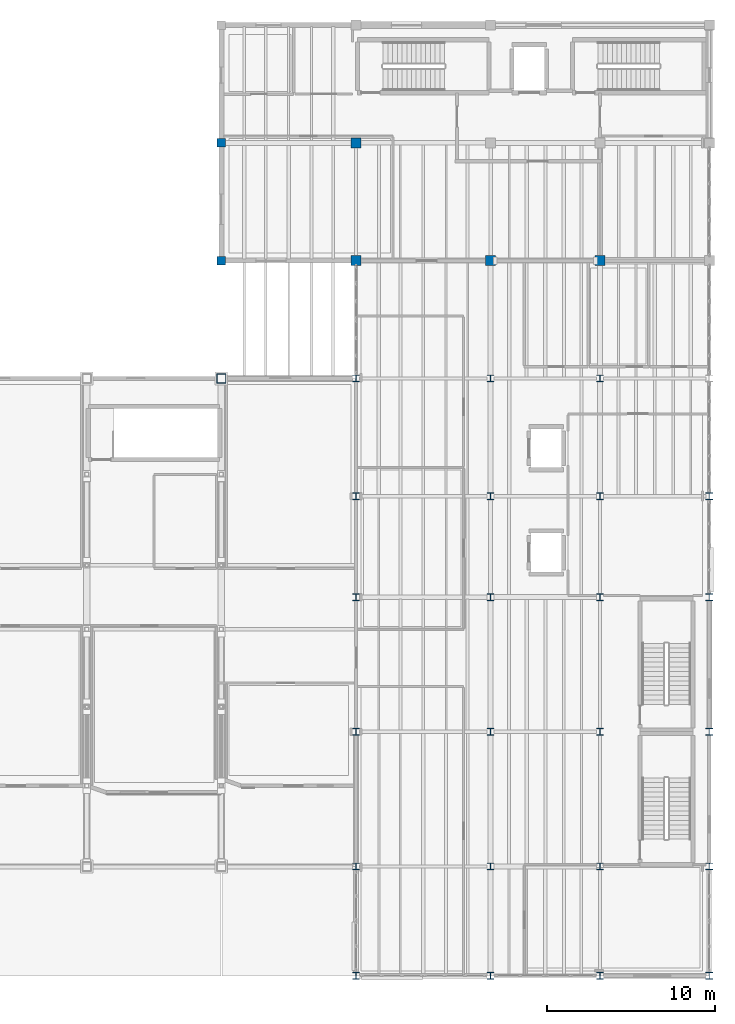
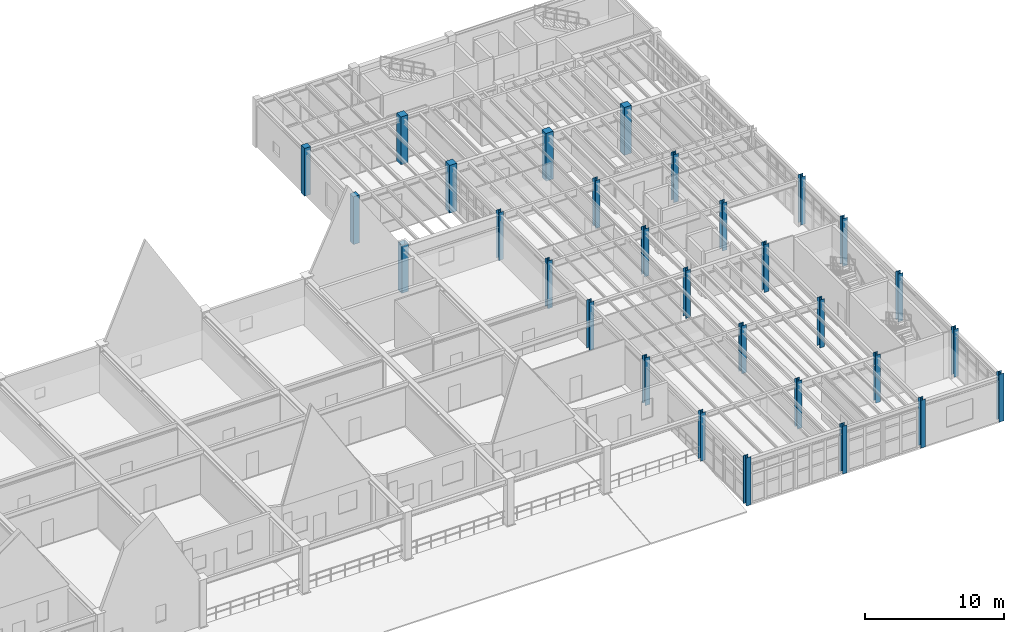
# One storey, part 6 of 78: 30 columns.
"""IFC4 building model written with IfcOpenShell, lengths in metres."""

from ifc_helpers import new_model, si_unit, direction, frame, origin, origin_2d, place, context, subcontext, project, spatial, rectangle, hollow_rectangle, i_section, extrude, material, material_profile, profile_set, type_object, element, save


model = new_model("IFC4")

# Units and contexts
model_context = context("Model", 3, precision=1e-05, world=origin(), true_north=direction((0.0, 1.0)))
body_context = subcontext(model_context, "Body", "Model", "MODEL_VIEW")
ifc_project = project(units=[si_unit("LENGTHUNIT", "METRE"), si_unit("AREAUNIT", "SQUARE_METRE"), si_unit("VOLUMEUNIT", "CUBIC_METRE"), si_unit("PLANEANGLEUNIT", "RADIAN"), si_unit("MASSUNIT", "GRAM", prefix="KILO"), si_unit("THERMODYNAMICTEMPERATUREUNIT", "KELVIN"), si_unit("POWERUNIT", "WATT")], contexts=[model_context])

# Site, building, storey
site_placement = place(None, origin())
site = spatial("IfcSite", under=ifc_project, at=site_placement, CompositionType="ELEMENT")
building_placement = place(site_placement, origin())
building = spatial("IfcBuilding", under=site, at=building_placement, Name="Zhenchuan Central Fire Station", CompositionType="ELEMENT")
storey_placement = place(building_placement, frame((0.0, 0.0, 5.85009765625)))
storey = spatial("IfcBuildingStorey", under=building, at=storey_placement, Name="L02", CompositionType="ELEMENT", Elevation=5.85009765625)

# Columns
ifc_material_1 = material(Name="Steel Q355B", Category="steel")
ifc_material_profile_1 = material_profile(ifc_material_1, hollow_rectangle(XDim=0.550048828125, YDim=0.550048828125, WallThickness=0.02587890625, at=origin_2d()), Name="BOX 550x550x26")
ifc_profile_set_1 = profile_set([ifc_material_profile_1], Name="Steel Q355B")
column_type_1 = type_object("IfcColumnType", Name="COL-BOX550", PredefinedType="COLUMN", material=ifc_profile_set_1)
column_placement = place(storey_placement, frame((132.0, 35.5, 0.0), z_axis=(0.0, 0.0, 1.0), x_axis=(1.0, 0.0, 0.0)))
element("IfcColumn", 1, at=column_placement, inside=storey, type_object=column_type_1, Name="L02 Column 080", PredefinedType="COLUMN", context=body_context, shape_type="SweptSolid", body=[
    extrude(hollow_rectangle(XDim=0.550048828125, YDim=0.550048828125, WallThickness=0.02587890625, at=origin_2d()), origin(), (0.0, 0.0, 1.0), 4.199951171875),
])
ifc_material_profile_2 = material_profile(ifc_material_1, i_section(OverallWidth=0.39990234375, OverallDepth=0.39990234375, WebThickness=0.012939453125, FlangeThickness=0.02099609375, FilletRadius=0.02197265625, at=origin_2d()), Name="HW 400x400")
ifc_profile_set_2 = profile_set([ifc_material_profile_2], Name="Steel Q355B")
column_type_2 = type_object("IfcColumnType", Name="COL-HW400", PredefinedType="COLUMN", material=ifc_profile_set_2)
for number, where, z_axis, x_axis, name in (
    (2, (140.0, 0.0, 0.0), (0.0, 0.0, 1.0), (1.0, 0.0, 0.0), "L02 Column 084"),
    (3, (148.0, 0.0, 0.0), (0.0, 0.0, 1.0), (1.0, 0.0, 0.0), "L02 Column 093"),
    (4, (154.5, 0.0, 0.0), (0.0, 0.0, 1.0), (1.0, 0.0, 0.0), "L02 Column 102"),
    (5, (161.0, 0.0, 0.0), (0.0, 0.0, 1.0), (1.0, 0.0, 0.0), "L02 Column 110"),
    (6, (161.0, 6.5, 0.0), (0.0, 0.0, 1.0), (1.0, 0.0, 0.0), "L02 Column 111"),
    (7, (161.0, 14.5, 0.0), (0.0, 0.0, 1.0), (1.0, 0.0, 0.0), "L02 Column 112"),
    (8, (161.0, 22.5, 0.0), (0.0, 0.0, 1.0), (1.0, 0.0, 0.0), "L02 Column 113"),
    (9, (161.0, 28.5, 0.0), (0.0, 0.0, 1.0), (1.0, 0.0, 0.0), "L02 Column 114"),
):
    element("IfcColumn", number, at=place(storey_placement, frame(where, z_axis=z_axis, x_axis=x_axis)), inside=storey, type_object=column_type_2, Name=name, PredefinedType="COLUMN", context=body_context, shape_type="SweptSolid", body=[
        extrude(i_section(OverallWidth=0.39990234375, OverallDepth=0.39990234375, WebThickness=0.012939453125, FlangeThickness=0.02099609375, FilletRadius=0.02197265625, at=origin_2d()), origin(), (0.0, 0.0, 1.0), 4.199951171875),
    ])
ifc_material_profile_3 = material_profile(ifc_material_1, i_section(OverallWidth=0.39990234375, OverallDepth=0.39990234375, WebThickness=0.012939453125, FlangeThickness=0.02099609375, FilletRadius=0.02197265625, at=origin_2d()), Name="HW 400x400")
ifc_profile_set_3 = profile_set([ifc_material_profile_3], Name="Steel Q355B")
column_type_3 = type_object("IfcColumnType", Name="COL-HW400-INT", PredefinedType="COLUMN", material=ifc_profile_set_3)
for number, where, z_axis, x_axis, name in (
    (10, (140.0, 6.5, 0.0), (0.0, 0.0, 1.0), (1.0, 0.0, 0.0), "L02 Column 085"),
    (11, (140.0, 14.5, 0.0), (0.0, 0.0, 1.0), (1.0, 0.0, 0.0), "L02 Column 086"),
    (12, (140.0, 22.5, 0.0), (0.0, 0.0, 1.0), (1.0, 0.0, 0.0), "L02 Column 087"),
    (13, (140.0, 28.5, 0.0), (0.0, 0.0, 1.0), (1.0, 0.0, 0.0), "L02 Column 088"),
    (14, (140.0, 35.5, 0.0), (0.0, 0.0, 1.0), (1.0, 0.0, 0.0), "L02 Column 089"),
    (15, (148.0, 6.5, 0.0), (0.0, 0.0, 1.0), (1.0, 0.0, 0.0), "L02 Column 094"),
    (16, (148.0, 14.5, 0.0), (0.0, 0.0, 1.0), (1.0, 0.0, 0.0), "L02 Column 095"),
    (17, (148.0, 22.5, 0.0), (0.0, 0.0, 1.0), (1.0, 0.0, 0.0), "L02 Column 096"),
    (18, (148.0, 28.5, 0.0), (0.0, 0.0, 1.0), (1.0, 0.0, 0.0), "L02 Column 097"),
    (19, (148.0, 35.5, 0.0), (0.0, 0.0, 1.0), (1.0, 0.0, 0.0), "L02 Column 098"),
    (20, (154.5, 6.5, 0.0), (0.0, 0.0, 1.0), (1.0, 0.0, 0.0), "L02 Column 103"),
    (21, (154.5, 14.5, 0.0), (0.0, 0.0, 1.0), (1.0, 0.0, 0.0), "L02 Column 104"),
    (22, (154.5, 22.5, 0.0), (0.0, 0.0, 1.0), (1.0, 0.0, 0.0), "L02 Column 105"),
    (23, (154.5, 28.5, 0.0), (0.0, 0.0, 1.0), (1.0, 0.0, 0.0), "L02 Column 106"),
    (24, (154.5, 35.5, 0.0), (0.0, 0.0, 1.0), (1.0, 0.0, 0.0), "L02 Column 107"),
):
    element("IfcColumn", number, at=place(storey_placement, frame(where, z_axis=z_axis, x_axis=x_axis)), inside=storey, type_object=column_type_3, Name=name, PredefinedType="COLUMN", context=body_context, shape_type="SweptSolid", body=[
        extrude(i_section(OverallWidth=0.39990234375, OverallDepth=0.39990234375, WebThickness=0.012939453125, FlangeThickness=0.02099609375, FilletRadius=0.02197265625, at=origin_2d()), origin(), (0.0, 0.0, 1.0), 4.199951171875),
    ])
ifc_material_2 = material(Name="Concrete C40/50", Category="concrete")
ifc_material_profile_4 = material_profile(ifc_material_2, rectangle(XDim=0.5, YDim=0.5, at=origin_2d()), Name="RC 500x500")
ifc_profile_set_4 = profile_set([ifc_material_profile_4], Name="Concrete C40/50")
column_type_4 = type_object("IfcColumnType", Name="COL-RC500", PredefinedType="COLUMN", material=ifc_profile_set_4)
for number, where, z_axis, x_axis, name in (
    (25, (132.0, 42.5, 0.0), (0.0, 0.0, 1.0), (1.0, 0.0, 0.0), "L02 Column 081"),
    (26, (132.0, 49.5, 0.0), (0.0, 0.0, 1.0), (1.0, 0.0, 0.0), "L02 Column 082"),
):
    element("IfcColumn", number, at=place(storey_placement, frame(where, z_axis=z_axis, x_axis=x_axis)), inside=storey, type_object=column_type_4, Name=name, PredefinedType="COLUMN", context=body_context, shape_type="SweptSolid", body=[
        extrude(rectangle(XDim=0.5, YDim=0.5, at=origin_2d()), origin(), (0.0, 0.0, 1.0), 4.199951171875),
    ])
ifc_material_profile_5 = material_profile(ifc_material_2, rectangle(XDim=0.60009765625, YDim=0.60009765625, at=origin_2d()), Name="RC 600x600")
ifc_profile_set_5 = profile_set([ifc_material_profile_5], Name="Concrete C40/50")
column_type_5 = type_object("IfcColumnType", Name="COL-RC600", PredefinedType="COLUMN", material=ifc_profile_set_5)
for number, where, z_axis, x_axis, name in (
    (27, (140.0, 42.5, 0.0), (0.0, 0.0, 1.0), (1.0, 0.0, 0.0), "L02 Column 090"),
    (28, (140.0, 49.5, 0.0), (0.0, 0.0, 1.0), (1.0, 0.0, 0.0), "L02 Column 091"),
    (29, (148.0, 42.5, 0.0), (0.0, 0.0, 1.0), (1.0, 0.0, 0.0), "L02 Column 099"),
    (30, (154.5, 42.5, 0.0), (0.0, 0.0, 1.0), (1.0, 0.0, 0.0), "L02 Column 108"),
):
    element("IfcColumn", number, at=place(storey_placement, frame(where, z_axis=z_axis, x_axis=x_axis)), inside=storey, type_object=column_type_5, Name=name, PredefinedType="COLUMN", context=body_context, shape_type="SweptSolid", body=[
        extrude(rectangle(XDim=0.60009765625, YDim=0.60009765625, at=origin_2d()), origin(), (0.0, 0.0, 1.0), 4.199951171875),
    ])

save(model, "model.ifc")
